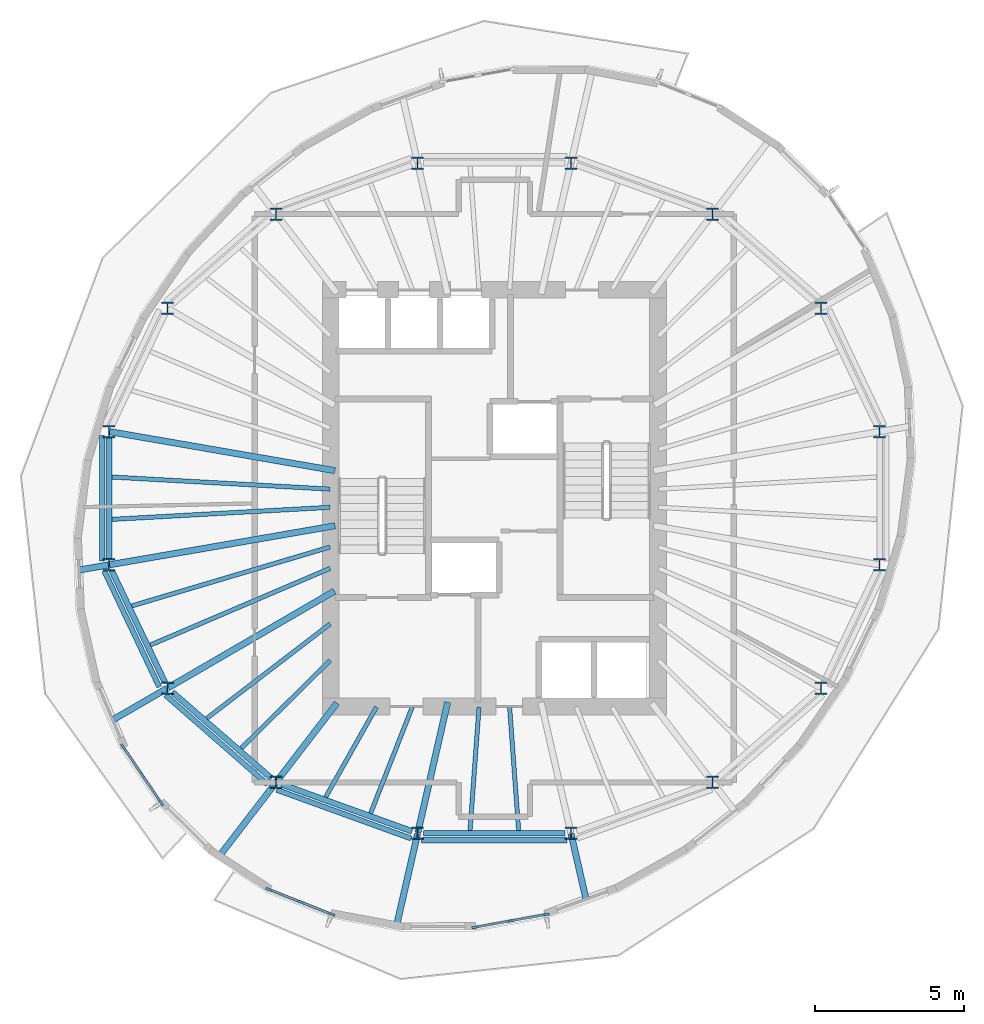
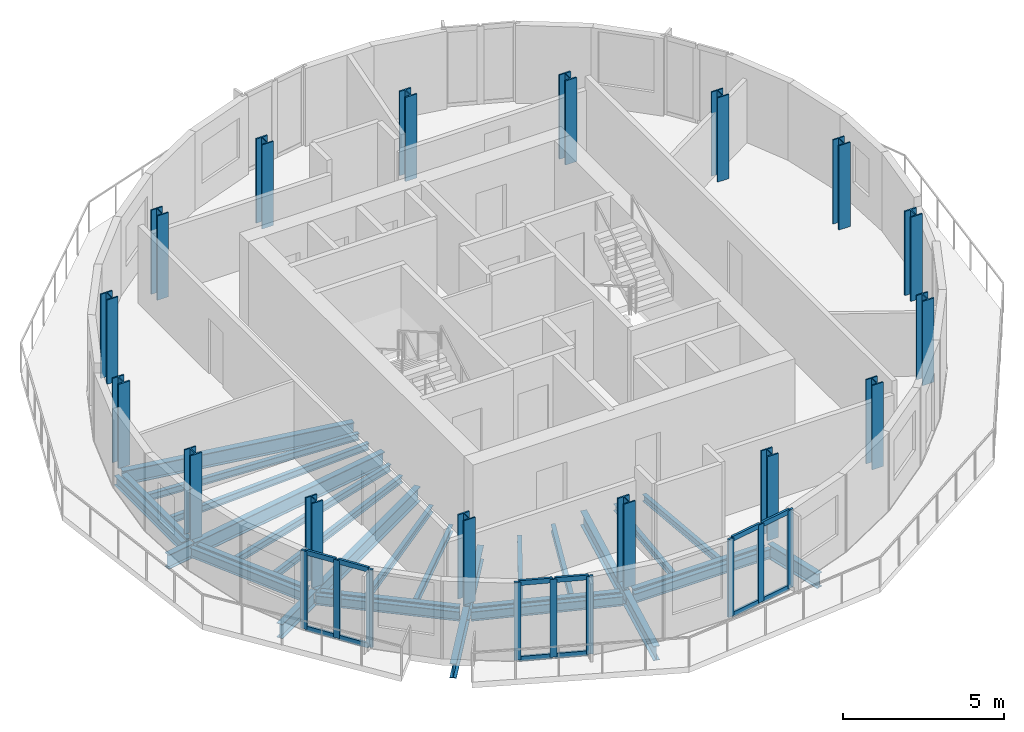
# One storey, part 1 of 9: 30 beams, 21 members, 16 columns, 3 elements without a shape of their own.
"""IFC4 building model written with IfcOpenShell, lengths in metres."""

from ifc_helpers import new_model, si_unit, direction, frame, origin, origin_2d, place, context, subcontext, project, spatial, rectangle, i_section, extrude, material, material_profile, profile_set, type_object, element, aggregate, save


model = new_model("IFC4")

# Units and contexts
model_context = context("Model", 3, precision=1e-05, world=origin(), true_north=direction((0.0, 1.0)))
body_context = subcontext(model_context, "Body", "Model", "MODEL_VIEW")
ifc_project = project(units=[si_unit("LENGTHUNIT", "METRE"), si_unit("AREAUNIT", "SQUARE_METRE"), si_unit("VOLUMEUNIT", "CUBIC_METRE"), si_unit("PLANEANGLEUNIT", "RADIAN"), si_unit("MASSUNIT", "GRAM", prefix="KILO")], contexts=[model_context])

# Site, building, storey
site_placement = place(None, origin())
site = spatial("IfcSite", under=ifc_project, at=site_placement, CompositionType="ELEMENT")
building_placement = place(site_placement, origin())
building = spatial("IfcBuilding", under=site, at=building_placement, Name="Veldorim Arch Residences", CompositionType="ELEMENT")
storey_placement = place(building_placement, frame((0.0, 0.0, 204.639892578125)))
storey = spatial("IfcBuildingStorey", under=building, at=storey_placement, Name="L61", CompositionType="ELEMENT", Elevation=204.639892578125)

# Columns
ifc_material_1 = material(Name="Steel S460", Category="steel")
ifc_material_profile_1 = material_profile(ifc_material_1, i_section(OverallWidth=0.406982421875, OverallDepth=0.4189453125, WebThickness=0.030517578125, FlangeThickness=0.04931640625, at=origin_2d()), Name="UC356x406x393")
ifc_profile_set_1 = profile_set([ifc_material_profile_1], Name="Steel S460")
column_type = type_object("IfcColumnType", Name="Structural Column UC356x406x393", PredefinedType="COLUMN", material=ifc_profile_set_1)
for number, where, z_axis, x_axis, name in (
    (1, (44.9462890625, 26.239501953125, 0.0), (0.0, 0.0, 1.0), (1.0, 0.0, 0.0), "L61 TC-Z4-01 perimeter column"),
    (2, (42.975341796875, 30.3779296875, 0.0), (0.0, 0.0, 1.0), (1.0, 0.0, 0.0), "L61 TC-Z4-02 perimeter column"),
    (3, (39.33349609375, 33.54541015625, 0.0), (0.0, 0.0, 1.0), (1.0, 0.0, 0.0), "L61 TC-Z4-03 perimeter column"),
    (4, (34.5751953125, 35.259521484375, 0.0), (0.0, 0.0, 1.0), (1.0, 0.0, 0.0), "L61 TC-Z4-04 perimeter column"),
    (5, (29.4248046875, 35.259521484375, 0.0), (0.0, 0.0, 1.0), (1.0, 0.0, 0.0), "L61 TC-Z4-05 perimeter column"),
    (6, (24.66650390625, 33.54541015625, 0.0), (0.0, 0.0, 1.0), (1.0, 0.0, 0.0), "L61 TC-Z4-06 perimeter column"),
    (7, (21.024658203125, 30.3779296875, 0.0), (0.0, 0.0, 1.0), (1.0, 0.0, 0.0), "L61 TC-Z4-07 perimeter column"),
    (8, (19.0537109375, 26.239501953125, 0.0), (0.0, 0.0, 1.0), (1.0, 0.0, 0.0), "L61 TC-Z4-08 perimeter column"),
    (9, (19.0537109375, 21.760498046875, 0.0), (0.0, 0.0, 1.0), (1.0, 0.0, 0.0), "L61 TC-Z4-09 perimeter column"),
    (10, (21.024658203125, 17.6220703125, 0.0), (0.0, 0.0, 1.0), (1.0, 0.0, 0.0), "L61 TC-Z4-10 perimeter column"),
    (11, (24.66650390625, 14.45458984375, 0.0), (0.0, 0.0, 1.0), (1.0, 0.0, 0.0), "L61 TC-Z4-11 perimeter column"),
    (12, (29.4248046875, 12.740478515625, 0.0), (0.0, 0.0, 1.0), (1.0, 0.0, 0.0), "L61 TC-Z4-12 perimeter column"),
    (13, (34.5751953125, 12.740478515625, 0.0), (0.0, 0.0, 1.0), (1.0, 0.0, 0.0), "L61 TC-Z4-13 perimeter column"),
    (14, (39.33349609375, 14.45458984375, 0.0), (0.0, 0.0, 1.0), (1.0, 0.0, 0.0), "L61 TC-Z4-14 perimeter column"),
    (15, (42.975341796875, 17.6220703125, 0.0), (0.0, 0.0, 1.0), (1.0, 0.0, 0.0), "L61 TC-Z4-15 perimeter column"),
    (16, (44.9462890625, 21.760498046875, 0.0), (0.0, 0.0, 1.0), (1.0, 0.0, 0.0), "L61 TC-Z4-16 perimeter column"),
):
    element("IfcColumn", number, at=place(storey_placement, frame(where, z_axis=z_axis, x_axis=x_axis)), inside=storey, type_object=column_type, Name=name, PredefinedType="COLUMN", context=body_context, shape_type="SweptSolid", body=[
        extrude(i_section(OverallWidth=0.406982421875, OverallDepth=0.4189453125, WebThickness=0.030517578125, FlangeThickness=0.04931640625, at=origin_2d()), origin(), (0.0, 0.0, 1.0), 3.2001953125),
    ])

# Curtain wall, members
ifc_material_2 = material(Name="Aluminium", Category="aluminium")
curtain_wall_type = type_object("IfcCurtainWallType", Name="Sky Lounge & Conservatory Tall Curtain Wall", PredefinedType="NOTDEFINED", material=ifc_material_2)
curtain_wall_1_placement = place(storey_placement, origin())
curtain_wall_1 = element("IfcCurtainWall", 17, at=curtain_wall_1_placement, inside=storey, type_object=curtain_wall_type, Name="L61 unitised curtain wall bay 17", PredefinedType="NOTDEFINED")
ifc_material_3 = material(Name="Aluminium", Category="aluminium")
ifc_material_profile_2 = material_profile(ifc_material_3, rectangle(XDim=0.080078125, YDim=0.219970703125, at=origin_2d()), Name="ALU_MUL_80x220")
ifc_profile_set_2 = profile_set([ifc_material_profile_2], Name="Aluminium")
member_type_1 = type_object("IfcMemberType", Name="Sky Lounge & Conservatory Tall Curtain Wall Mullion 80x220", PredefinedType="MULLION", material=ifc_profile_set_2)
member_1_placement = place(storey_placement, frame((20.802978515625, 13.76708984375, 0.0), z_axis=(0.0, 0.0, 1.0), x_axis=(-0.827943581901, -0.560811398946, 0.0)))
member_1 = element("IfcMember", 18, at=member_1_placement, type_object=member_type_1, Name="CW-SKY mullion 1", PredefinedType="MULLION", context=body_context, shape_type="SweptSolid", body=[
    extrude(rectangle(XDim=0.080078125, YDim=0.219970703125, at=origin_2d()), origin(), (0.0, 0.0, 1.0), 2.960205078125),
])
member_2_placement = place(storey_placement, frame((20.167236328125, 14.705322265625, 0.0), z_axis=(0.0, 0.0, 1.0), x_axis=(-0.827943581901, -0.560811398946, 0.0)))
member_2 = element("IfcMember", 19, at=member_2_placement, type_object=member_type_1, Name="CW-SKY mullion 2", PredefinedType="MULLION", context=body_context, shape_type="SweptSolid", body=[
    extrude(rectangle(XDim=0.080078125, YDim=0.219970703125, at=origin_2d()), origin(), (0.0, 0.0, 1.0), 2.960205078125),
])
member_3_placement = place(storey_placement, frame((19.53173828125, 15.643798828125, 0.0), z_axis=(0.0, 0.0, 1.0), x_axis=(-0.827943581901, -0.560811398946, 0.0)))
member_3 = element("IfcMember", 20, at=member_3_placement, type_object=member_type_1, Name="CW-SKY mullion 3", PredefinedType="MULLION", context=body_context, shape_type="SweptSolid", body=[
    extrude(rectangle(XDim=0.080078125, YDim=0.219970703125, at=origin_2d()), origin(), (0.0, 0.0, 1.0), 2.960205078125),
])

curtain_wall_2_placement = place(storey_placement, origin())
curtain_wall_2 = element("IfcCurtainWall", 21, at=curtain_wall_2_placement, inside=storey, type_object=curtain_wall_type, Name="L61 unitised curtain wall bay 20", PredefinedType="NOTDEFINED")
member_4_placement = place(storey_placement, frame((26.53564453125, 10.0205078125, 0.0), z_axis=(0.0, 0.0, 1.0), x_axis=(-0.368670793641, -0.92956002814, 0.0)))
member_4 = element("IfcMember", 22, at=member_4_placement, type_object=member_type_1, Name="CW-SKY mullion 1", PredefinedType="MULLION", context=body_context, shape_type="SweptSolid", body=[
    extrude(rectangle(XDim=0.080078125, YDim=0.219970703125, at=origin_2d()), origin(), (0.0, 0.0, 1.0), 2.960205078125),
])
member_5_placement = place(storey_placement, frame((25.48193359375, 10.4384765625, 0.0), z_axis=(0.0, 0.0, 1.0), x_axis=(-0.368670793641, -0.92956002814, 0.0)))
member_5 = element("IfcMember", 23, at=member_5_placement, type_object=member_type_1, Name="CW-SKY mullion 2", PredefinedType="MULLION", context=body_context, shape_type="SweptSolid", body=[
    extrude(rectangle(XDim=0.080078125, YDim=0.219970703125, at=origin_2d()), origin(), (0.0, 0.0, 1.0), 2.960205078125),
])
member_6_placement = place(storey_placement, frame((24.428466796875, 10.856201171875, 0.0), z_axis=(0.0, 0.0, 1.0), x_axis=(-0.368670793641, -0.92956002814, 0.0)))
member_6 = element("IfcMember", 24, at=member_6_placement, type_object=member_type_1, Name="CW-SKY mullion 3", PredefinedType="MULLION", context=body_context, shape_type="SweptSolid", body=[
    extrude(rectangle(XDim=0.080078125, YDim=0.219970703125, at=origin_2d()), origin(), (0.0, 0.0, 1.0), 2.960205078125),
])

curtain_wall_3_placement = place(storey_placement, origin())
curtain_wall_3 = element("IfcCurtainWall", 25, at=curtain_wall_3_placement, inside=storey, type_object=curtain_wall_type, Name="L61 unitised curtain wall bay 23", PredefinedType="NOTDEFINED")
member_7_placement = place(storey_placement, frame((33.736083984375, 10.014404296875, 0.0), z_axis=(0.0, 0.0, 1.0), x_axis=(0.177682530469, -0.984087861101, 0.0)))
member_7 = element("IfcMember", 26, at=member_7_placement, type_object=member_type_1, Name="CW-SKY mullion 1", PredefinedType="MULLION", context=body_context, shape_type="SweptSolid", body=[
    extrude(rectangle(XDim=0.080078125, YDim=0.219970703125, at=origin_2d()), origin(), (0.0, 0.0, 1.0), 2.960205078125),
])
member_8_placement = place(storey_placement, frame((32.544189453125, 9.79931640625, 0.0), z_axis=(0.0, 0.0, 1.0), x_axis=(0.177682530469, -0.984087861101, 0.0)))
member_8 = element("IfcMember", 27, at=member_8_placement, type_object=member_type_1, Name="CW-SKY mullion 2", PredefinedType="MULLION", context=body_context, shape_type="SweptSolid", body=[
    extrude(rectangle(XDim=0.080078125, YDim=0.219970703125, at=origin_2d()), origin(), (0.0, 0.0, 1.0), 2.960205078125),
])
member_9_placement = place(storey_placement, frame((31.3525390625, 9.584228515625, 0.0), z_axis=(0.0, 0.0, 1.0), x_axis=(0.177682530469, -0.984087861101, 0.0)))
member_9 = element("IfcMember", 28, at=member_9_placement, type_object=member_type_1, Name="CW-SKY mullion 3", PredefinedType="MULLION", context=body_context, shape_type="SweptSolid", body=[
    extrude(rectangle(XDim=0.080078125, YDim=0.219970703125, at=origin_2d()), origin(), (0.0, 0.0, 1.0), 2.960205078125),
])

# Member
ifc_material_4 = material(Name="Aluminium", Category="aluminium")
ifc_material_profile_3 = material_profile(ifc_material_4, rectangle(XDim=0.080078125, YDim=0.18505859375, at=origin_2d()), Name="ALU_TRN_80x185")
ifc_profile_set_3 = profile_set([ifc_material_profile_3], Name="Aluminium")
member_type_2 = type_object("IfcMemberType", Name="Sky Lounge & Conservatory Tall Curtain Wall Transom 80x185", PredefinedType="USERDEFINED", material=ifc_profile_set_3)
member_10_placement = place(storey_placement, frame((20.780517578125, 13.800048828125, 0.0400390625), z_axis=(-0.560781533978, 0.82796381029, 0.0), x_axis=(-0.82796381029, -0.560781533978, 0.0)))
member_10 = element("IfcMember", 29, at=member_10_placement, type_object=member_type_2, Name="CW-SKY transom 1.1", ObjectType="TRANSOM", PredefinedType="USERDEFINED", context=body_context, shape_type="SweptSolid", body=[
    extrude(rectangle(XDim=0.080078125, YDim=0.18505859375, at=origin_2d()), origin(), (0.0, 0.0, 1.0), 1.053466796875),
])

member_11_placement = place(storey_placement, frame((20.780517578125, 13.800048828125, 2.920166015625), z_axis=(-0.560781533978, 0.82796381029, 0.0), x_axis=(-0.82796381029, -0.560781533978, 0.0)))
member_11 = element("IfcMember", 30, at=member_11_placement, type_object=member_type_2, Name="CW-SKY transom 1.2", ObjectType="TRANSOM", PredefinedType="USERDEFINED", context=body_context, shape_type="SweptSolid", body=[
    extrude(rectangle(XDim=0.080078125, YDim=0.18505859375, at=origin_2d()), origin(), (0.0, 0.0, 1.0), 1.053466796875),
])

member_12_placement = place(storey_placement, frame((20.14501953125, 14.738525390625, 0.0400390625), z_axis=(-0.560889142733, 0.827890916464, 0.0), x_axis=(-0.827890916464, -0.560889142733, 0.0)))
member_12 = element("IfcMember", 31, at=member_12_placement, type_object=member_type_2, Name="CW-SKY transom 2.1", ObjectType="TRANSOM", PredefinedType="USERDEFINED", context=body_context, shape_type="SweptSolid", body=[
    extrude(rectangle(XDim=0.080078125, YDim=0.18505859375, at=origin_2d()), origin(), (0.0, 0.0, 1.0), 1.053466796875),
])

member_13_placement = place(storey_placement, frame((20.14501953125, 14.738525390625, 2.920166015625), z_axis=(-0.560889142733, 0.827890916464, 0.0), x_axis=(-0.827890916464, -0.560889142733, 0.0)))
member_13 = element("IfcMember", 32, at=member_13_placement, type_object=member_type_2, Name="CW-SKY transom 2.2", ObjectType="TRANSOM", PredefinedType="USERDEFINED", context=body_context, shape_type="SweptSolid", body=[
    extrude(rectangle(XDim=0.080078125, YDim=0.18505859375, at=origin_2d()), origin(), (0.0, 0.0, 1.0), 1.053466796875),
])

aggregate(curtain_wall_1, [member_1, member_2, member_3, member_10, member_11, member_12, member_13])

member_14_placement = place(storey_placement, frame((26.49853515625, 10.035400390625, 0.0400390625), z_axis=(-0.929623083141, 0.368511768186, 0.0), x_axis=(-0.368511768186, -0.929623083141, 0.0)))
member_14 = element("IfcMember", 33, at=member_14_placement, type_object=member_type_2, Name="CW-SKY transom 1.1", ObjectType="TRANSOM", PredefinedType="USERDEFINED", context=body_context, shape_type="SweptSolid", body=[
    extrude(rectangle(XDim=0.080078125, YDim=0.18505859375, at=origin_2d()), origin(), (0.0, 0.0, 1.0), 1.053466796875),
])

member_15_placement = place(storey_placement, frame((26.49853515625, 10.035400390625, 2.920166015625), z_axis=(-0.929623083141, 0.368511768186, 0.0), x_axis=(-0.368511768186, -0.929623083141, 0.0)))
member_15 = element("IfcMember", 34, at=member_15_placement, type_object=member_type_2, Name="CW-SKY transom 1.2", ObjectType="TRANSOM", PredefinedType="USERDEFINED", context=body_context, shape_type="SweptSolid", body=[
    extrude(rectangle(XDim=0.080078125, YDim=0.18505859375, at=origin_2d()), origin(), (0.0, 0.0, 1.0), 1.053466796875),
])

member_16_placement = place(storey_placement, frame((25.44482421875, 10.453125, 0.0400390625), z_axis=(-0.929543669813, 0.368712036568, 0.0), x_axis=(-0.368712036568, -0.929543669813, 0.0)))
member_16 = element("IfcMember", 35, at=member_16_placement, type_object=member_type_2, Name="CW-SKY transom 2.1", ObjectType="TRANSOM", PredefinedType="USERDEFINED", context=body_context, shape_type="SweptSolid", body=[
    extrude(rectangle(XDim=0.080078125, YDim=0.18505859375, at=origin_2d()), origin(), (0.0, 0.0, 1.0), 1.053466796875),
])

member_17_placement = place(storey_placement, frame((25.44482421875, 10.453125, 2.920166015625), z_axis=(-0.929543669813, 0.368712036568, 0.0), x_axis=(-0.368712036568, -0.929543669813, 0.0)))
member_17 = element("IfcMember", 36, at=member_17_placement, type_object=member_type_2, Name="CW-SKY transom 2.2", ObjectType="TRANSOM", PredefinedType="USERDEFINED", context=body_context, shape_type="SweptSolid", body=[
    extrude(rectangle(XDim=0.080078125, YDim=0.18505859375, at=origin_2d()), origin(), (0.0, 0.0, 1.0), 1.053466796875),
])

aggregate(curtain_wall_2, [member_4, member_5, member_6, member_14, member_15, member_16, member_17])

member_18_placement = place(storey_placement, frame((33.69677734375, 10.00732421875, 0.0400390625), z_axis=(-0.984093626993, -0.177650593335, 0.0), x_axis=(0.177650593335, -0.984093626993, 0.0)))
member_18 = element("IfcMember", 37, at=member_18_placement, type_object=member_type_2, Name="CW-SKY transom 1.1", ObjectType="TRANSOM", PredefinedType="USERDEFINED", context=body_context, shape_type="SweptSolid", body=[
    extrude(rectangle(XDim=0.080078125, YDim=0.18505859375, at=origin_2d()), origin(), (0.0, 0.0, 1.0), 1.131103515625),
])

member_19_placement = place(storey_placement, frame((33.69677734375, 10.00732421875, 2.920166015625), z_axis=(-0.984093626993, -0.177650593335, 0.0), x_axis=(0.177650593335, -0.984093626993, 0.0)))
member_19 = element("IfcMember", 38, at=member_19_placement, type_object=member_type_2, Name="CW-SKY transom 1.2", ObjectType="TRANSOM", PredefinedType="USERDEFINED", context=body_context, shape_type="SweptSolid", body=[
    extrude(rectangle(XDim=0.080078125, YDim=0.18505859375, at=origin_2d()), origin(), (0.0, 0.0, 1.0), 1.131103515625),
])

member_20_placement = place(storey_placement, frame((32.5048828125, 9.792236328125, 0.0400390625), z_axis=(-0.984093626993, -0.177650593335, 0.0), x_axis=(0.177650593335, -0.984093626993, 0.0)))
member_20 = element("IfcMember", 39, at=member_20_placement, type_object=member_type_2, Name="CW-SKY transom 2.1", ObjectType="TRANSOM", PredefinedType="USERDEFINED", context=body_context, shape_type="SweptSolid", body=[
    extrude(rectangle(XDim=0.080078125, YDim=0.18505859375, at=origin_2d()), origin(), (0.0, 0.0, 1.0), 1.131103515625),
])

member_21_placement = place(storey_placement, frame((32.5048828125, 9.792236328125, 2.920166015625), z_axis=(-0.984093626993, -0.177650593335, 0.0), x_axis=(0.177650593335, -0.984093626993, 0.0)))
member_21 = element("IfcMember", 40, at=member_21_placement, type_object=member_type_2, Name="CW-SKY transom 2.2", ObjectType="TRANSOM", PredefinedType="USERDEFINED", context=body_context, shape_type="SweptSolid", body=[
    extrude(rectangle(XDim=0.080078125, YDim=0.18505859375, at=origin_2d()), origin(), (0.0, 0.0, 1.0), 1.131103515625),
])

aggregate(curtain_wall_3, [member_7, member_8, member_9, member_18, member_19, member_20, member_21])

# Beams
ifc_material_5 = material(Name="Steel S355", Category="steel")
ifc_material_profile_4 = material_profile(ifc_material_5, i_section(OverallWidth=0.2119140625, OverallDepth=0.54443359375, WebThickness=0.0126953125, FlangeThickness=0.021240234375, at=origin_2d()), Name="UB533x210x122")
ifc_profile_set_4 = profile_set([ifc_material_profile_4], Name="Steel S355")
beam_type_1 = type_object("IfcBeamType", Name="Structural Steel Beam UB533x210x122", PredefinedType="BEAM", material=ifc_profile_set_4)
for number, where, z_axis, x_axis, name in (
    (41, (26.647705078125, 24.92578125, -0.51220703125), (-0.985364974081, 0.170457818401, 0.0), (-0.170457818401, -0.985364974081, 0.0), "L61 radial floor girder 08"),
    (42, (26.647705078125, 23.07421875, -0.51220703125), (-0.985364974081, -0.170457818401, 0.0), (0.170457818401, -0.985364974081, 0.0), "L61 radial floor girder 09"),
):
    element("IfcBeam", number, at=place(storey_placement, frame(where, z_axis=z_axis, x_axis=x_axis)), inside=storey, type_object=beam_type_1, Name=name, PredefinedType="BEAM", context=body_context, shape_type="SweptSolid", body=[
        extrude(i_section(OverallWidth=0.2119140625, OverallDepth=0.54443359375, WebThickness=0.0126953125, FlangeThickness=0.021240234375, at=origin_2d()), origin(), (0.0, 0.0, 1.0), 7.68701171875),
    ])
beam_1_placement = place(storey_placement, frame((19.033935546875, 21.757080078125, -0.51220703125), z_axis=(-0.985333604627, -0.170639056469, 0.0), x_axis=(0.170639056469, -0.985333604627, 0.0)))
element("IfcBeam", 43, at=beam_1_placement, inside=storey, type_object=beam_type_1, Name="L61 radial edge cantilever girder 09", PredefinedType="BEAM", context=body_context, shape_type="SweptSolid", body=[
    extrude(i_section(OverallWidth=0.2119140625, OverallDepth=0.54443359375, WebThickness=0.0126953125, FlangeThickness=0.021240234375, at=origin_2d()), origin(), (0.0, 0.0, 1.0), 1.02734375),
])
beam_2_placement = place(storey_placement, frame((26.629638671875, 20.87939453125, -0.51220703125), z_axis=(-0.864595736304, -0.502468121142, 0.0), x_axis=(0.502468121142, -0.864595736304, 0.0)))
element("IfcBeam", 44, at=beam_2_placement, inside=storey, type_object=beam_type_1, Name="L61 radial floor girder 10", PredefinedType="BEAM", context=body_context, shape_type="SweptSolid", body=[
    extrude(i_section(OverallWidth=0.2119140625, OverallDepth=0.54443359375, WebThickness=0.0126953125, FlangeThickness=0.021240234375, at=origin_2d()), origin(), (0.0, 0.0, 1.0), 6.462646484375),
])
beam_3_placement = place(storey_placement, frame((21.00732421875, 17.612060546875, -0.51220703125), z_axis=(-0.864621216471, -0.502424274919, 0.0), x_axis=(0.502424274919, -0.864621216471, 0.0)))
element("IfcBeam", 45, at=beam_3_placement, inside=storey, type_object=beam_type_1, Name="L61 radial edge cantilever girder 10", PredefinedType="BEAM", context=body_context, shape_type="SweptSolid", body=[
    extrude(i_section(OverallWidth=0.2119140625, OverallDepth=0.54443359375, WebThickness=0.0126953125, FlangeThickness=0.021240234375, at=origin_2d()), origin(), (0.0, 0.0, 1.0), 2.141357421875),
])
beam_4_placement = place(storey_placement, frame((26.71337890625, 17.118896484375, -0.51220703125), z_axis=(-0.609258442308, -0.792971721108, 0.0), x_axis=(0.792971721108, -0.609258442308, 0.0)))
element("IfcBeam", 46, at=beam_4_placement, inside=storey, type_object=beam_type_1, Name="L61 radial floor girder 11", PredefinedType="BEAM", context=body_context, shape_type="SweptSolid", body=[
    extrude(i_section(OverallWidth=0.2119140625, OverallDepth=0.54443359375, WebThickness=0.0126953125, FlangeThickness=0.021240234375, at=origin_2d()), origin(), (0.0, 0.0, 1.0), 3.339599609375),
])
beam_5_placement = place(storey_placement, frame((24.654296875, 14.438720703125, -0.51220703125), z_axis=(-0.60924748857, -0.792980136997, 0.0), x_axis=(0.792980136997, -0.60924748857, 0.0)))
element("IfcBeam", 47, at=beam_5_placement, inside=storey, type_object=beam_type_1, Name="L61 radial edge cantilever girder 11", PredefinedType="BEAM", context=body_context, shape_type="SweptSolid", body=[
    extrude(i_section(OverallWidth=0.2119140625, OverallDepth=0.54443359375, WebThickness=0.0126953125, FlangeThickness=0.021240234375, at=origin_2d()), origin(), (0.0, 0.0, 1.0), 3.13330078125),
])
beam_6_placement = place(storey_placement, frame((30.432373046875, 17.146240234375, -0.51220703125), z_axis=(-0.222952976993, -0.97482920045, 0.0), x_axis=(0.97482920045, -0.222952976993, 0.0)))
element("IfcBeam", 48, at=beam_6_placement, inside=storey, type_object=beam_type_1, Name="L61 radial floor girder 12", PredefinedType="BEAM", context=body_context, shape_type="SweptSolid", body=[
    extrude(i_section(OverallWidth=0.2119140625, OverallDepth=0.54443359375, WebThickness=0.0126953125, FlangeThickness=0.021240234375, at=origin_2d()), origin(), (0.0, 0.0, 1.0), 4.49951171875),
])
beam_7_placement = place(storey_placement, frame((29.42041015625, 12.72119140625, -0.51220703125), z_axis=(-0.222970635171, -0.974825161684, 0.0), x_axis=(0.974825161684, -0.222970635171, 0.0)))
element("IfcBeam", 49, at=beam_7_placement, inside=storey, type_object=beam_type_1, Name="L61 radial edge cantilever girder 12", PredefinedType="BEAM", context=body_context, shape_type="SweptSolid", body=[
    extrude(i_section(OverallWidth=0.2119140625, OverallDepth=0.54443359375, WebThickness=0.0126953125, FlangeThickness=0.021240234375, at=origin_2d()), origin(), (0.0, 0.0, 1.0), 3.181884765625),
])
beam_8_placement = place(storey_placement, frame((34.57958984375, 12.72119140625, -0.51220703125), z_axis=(0.222959072594, -0.974827806306, 0.0), x_axis=(0.974827806306, 0.222959072594, 0.0)))
element("IfcBeam", 50, at=beam_8_placement, inside=storey, type_object=beam_type_1, Name="L61 radial edge cantilever girder 13", PredefinedType="BEAM", context=body_context, shape_type="SweptSolid", body=[
    extrude(i_section(OverallWidth=0.2119140625, OverallDepth=0.54443359375, WebThickness=0.0126953125, FlangeThickness=0.021240234375, at=origin_2d()), origin(), (0.0, 0.0, 1.0), 2.27099609375),
])
ifc_material_6 = material(Name="Steel S355", Category="steel")
ifc_material_profile_5 = material_profile(ifc_material_6, i_section(OverallWidth=0.146484375, OverallDepth=0.256103515625, WebThickness=0.00634765625, FlangeThickness=0.010986328125, at=origin_2d()), Name="UB254x146x37")
ifc_profile_set_5 = profile_set([ifc_material_profile_5], Name="Steel S355")
beam_type_2 = type_object("IfcBeamType", Name="Structural Steel Joist UB254x146x37", PredefinedType="JOIST", material=ifc_profile_set_5)
for number, where, z_axis, x_axis, name in (
    (51, (26.47998046875, 24.3056640625, -0.367919921875), (-0.998472000884, 0.055259962464, 0.0), (-0.055259962464, -0.998472000884, 0.0), "L61 secondary radial floor joist 08-1"),
    (52, (26.47998046875, 23.6943359375, -0.367919921875), (-0.998472000884, -0.055259962464, 0.0), (0.055259962464, -0.998472000884, 0.0), "L61 secondary radial floor joist 08-2"),
):
    element("IfcBeam", number, at=place(storey_placement, frame(where, z_axis=z_axis, x_axis=x_axis)), inside=storey, type_object=beam_type_2, Name=name, PredefinedType="JOIST", context=body_context, shape_type="SweptSolid", body=[
        extrude(i_section(OverallWidth=0.146484375, OverallDepth=0.256103515625, WebThickness=0.00634765625, FlangeThickness=0.010986328125, at=origin_2d()), origin(), (0.0, 0.0, 1.0), 7.33837890625),
    ])
beam_9_placement = place(storey_placement, frame((26.480712890625, 22.360595703125, -0.367919921875), z_axis=(-0.958594432792, -0.284774846889, 0.0), x_axis=(0.284774846889, -0.958594432792, 0.0)))
element("IfcBeam", 53, at=beam_9_placement, inside=storey, type_object=beam_type_2, Name="L61 secondary radial floor joist 09-1", PredefinedType="JOIST", context=body_context, shape_type="SweptSolid", body=[
    extrude(i_section(OverallWidth=0.146484375, OverallDepth=0.256103515625, WebThickness=0.00634765625, FlangeThickness=0.010986328125, at=origin_2d()), origin(), (0.0, 0.0, 1.0), 6.949462890625),
])
beam_10_placement = place(storey_placement, frame((26.481689453125, 21.644287109375, -0.367919921875), z_axis=(-0.919725161652, -0.392562895629, 0.0), x_axis=(0.392562895629, -0.919725161652, 0.0)))
element("IfcBeam", 54, at=beam_10_placement, inside=storey, type_object=beam_type_2, Name="L61 secondary radial floor joist 09-2", PredefinedType="JOIST", context=body_context, shape_type="SweptSolid", body=[
    extrude(i_section(OverallWidth=0.146484375, OverallDepth=0.256103515625, WebThickness=0.00634765625, FlangeThickness=0.010986328125, at=origin_2d()), origin(), (0.0, 0.0, 1.0), 6.5625),
])
beam_11_placement = place(storey_placement, frame((26.484130859375, 19.777099609375, -0.367919921875), z_axis=(-0.794013672216, -0.607899899929, 0.0), x_axis=(0.607899899929, -0.794013672216, 0.0)))
element("IfcBeam", 55, at=beam_11_placement, inside=storey, type_object=beam_type_2, Name="L61 secondary radial floor joist 10-1", PredefinedType="JOIST", context=body_context, shape_type="SweptSolid", body=[
    extrude(i_section(OverallWidth=0.146484375, OverallDepth=0.256103515625, WebThickness=0.00634765625, FlangeThickness=0.010986328125, at=origin_2d()), origin(), (0.0, 0.0, 1.0), 5.217041015625),
])
beam_12_placement = place(storey_placement, frame((26.48583984375, 18.55224609375, -0.367919921875), z_axis=(-0.711396725432, -0.702790650937, 0.0), x_axis=(0.702790650937, -0.711396725432, 0.0)))
element("IfcBeam", 56, at=beam_12_placement, inside=storey, type_object=beam_type_2, Name="L61 secondary radial floor joist 10-2", PredefinedType="JOIST", context=body_context, shape_type="SweptSolid", body=[
    extrude(i_section(OverallWidth=0.146484375, OverallDepth=0.256103515625, WebThickness=0.00634765625, FlangeThickness=0.010986328125, at=origin_2d()), origin(), (0.0, 0.0, 1.0), 4.198486328125),
])
beam_13_placement = place(storey_placement, frame((28.039794921875, 16.982666015625, -0.367919921875), z_axis=(-0.491452469585, -0.870904397818, 0.0), x_axis=(0.870904397818, -0.491452469585, 0.0)))
element("IfcBeam", 57, at=beam_13_placement, inside=storey, type_object=beam_type_2, Name="L61 secondary radial floor joist 11-1", PredefinedType="JOIST", context=body_context, shape_type="SweptSolid", body=[
    extrude(i_section(OverallWidth=0.146484375, OverallDepth=0.256103515625, WebThickness=0.00634765625, FlangeThickness=0.010986328125, at=origin_2d()), origin(), (0.0, 0.0, 1.0), 3.472412109375),
])
beam_14_placement = place(storey_placement, frame((29.24365234375, 16.9814453125, -0.367919921875), z_axis=(-0.365581383042, -0.930779379001, 0.0), x_axis=(0.930779379001, -0.365581383042, 0.0)))
element("IfcBeam", 58, at=beam_14_placement, inside=storey, type_object=beam_type_2, Name="L61 secondary radial floor joist 11-2", PredefinedType="JOIST", context=body_context, shape_type="SweptSolid", body=[
    extrude(i_section(OverallWidth=0.146484375, OverallDepth=0.256103515625, WebThickness=0.00634765625, FlangeThickness=0.010986328125, at=origin_2d()), origin(), (0.0, 0.0, 1.0), 3.83056640625),
])
for number, where, z_axis, x_axis, name in (
    (59, (31.486083984375, 16.97998046875, -0.367919921875), (-0.072985625899, -0.997332992742, 0.0), (0.997332992742, -0.072985625899, 0.0), "L61 secondary radial floor joist 12-1"),
    (60, (32.513916015625, 16.97998046875, -0.367919921875), (0.072985625899, -0.997332992742, 0.0), (0.997332992742, 0.072985625899, 0.0), "L61 secondary radial floor joist 12-2"),
):
    element("IfcBeam", number, at=place(storey_placement, frame(where, z_axis=z_axis, x_axis=x_axis)), inside=storey, type_object=beam_type_2, Name=name, PredefinedType="JOIST", context=body_context, shape_type="SweptSolid", body=[
        extrude(i_section(OverallWidth=0.146484375, OverallDepth=0.256103515625, WebThickness=0.00634765625, FlangeThickness=0.010986328125, at=origin_2d()), origin(), (0.0, 0.0, 1.0), 4.151123046875),
    ])
ifc_material_7 = material(Name="Steel S355", Category="steel")
ifc_material_profile_6 = material_profile(ifc_material_7, i_section(OverallWidth=0.172119140625, OverallDepth=0.35791015625, WebThickness=0.008056640625, FlangeThickness=0.012939453125, at=origin_2d()), Name="UB356x171x57")
ifc_profile_set_6 = profile_set([ifc_material_profile_6], Name="Steel S355")
beam_type_3 = type_object("IfcBeamType", Name="Structural Steel Spandrel UB356x171x57", PredefinedType="SPANDREL", material=ifc_profile_set_6)
beam_15_placement = place(storey_placement, frame((18.817138671875, 26.101318359375, -0.43896484375), z_axis=(0.0, -1.0, 0.0), x_axis=(1.0, 0.0, 0.0)))
element("IfcBeam", 61, at=beam_15_placement, inside=storey, type_object=beam_type_3, Name="L61 perimeter chord spandrel beam 08", PredefinedType="SPANDREL", context=body_context, shape_type="SweptSolid", body=[
    extrude(i_section(OverallWidth=0.172119140625, OverallDepth=0.35791015625, WebThickness=0.008056640625, FlangeThickness=0.012939453125, at=origin_2d()), origin(), (0.0, 0.0, 1.0), 4.20263671875),
])
beam_16_placement = place(storey_placement, frame((18.893798828125, 21.5576171875, -0.43896484375), z_axis=(0.428468601304, -0.903556670994, 0.0), x_axis=(0.903556670994, 0.428468601304, 0.0)))
element("IfcBeam", 62, at=beam_16_placement, inside=storey, type_object=beam_type_3, Name="L61 perimeter chord spandrel beam 09", PredefinedType="SPANDREL", context=body_context, shape_type="SweptSolid", body=[
    extrude(i_section(OverallWidth=0.172119140625, OverallDepth=0.35791015625, WebThickness=0.008056640625, FlangeThickness=0.012939453125, at=origin_2d()), origin(), (0.0, 0.0, 1.0), 4.31005859375),
])
beam_17_placement = place(storey_placement, frame((20.951904296875, 17.3837890625, -0.43896484375), z_axis=(0.752868439096, -0.658171036596, 0.0), x_axis=(0.658171036596, 0.752868439096, 0.0)))
element("IfcBeam", 63, at=beam_17_placement, inside=storey, type_object=beam_type_3, Name="L61 perimeter chord spandrel beam 10", PredefinedType="SPANDREL", context=body_context, shape_type="SweptSolid", body=[
    extrude(i_section(OverallWidth=0.172119140625, OverallDepth=0.35791015625, WebThickness=0.008056640625, FlangeThickness=0.012939453125, at=origin_2d()), origin(), (0.0, 0.0, 1.0), 4.560791015625),
])
beam_18_placement = place(storey_placement, frame((24.688720703125, 14.203369140625, -0.43896484375), z_axis=(0.940178823137, -0.340681347486, 0.0), x_axis=(0.340681347486, 0.940178823137, 0.0)))
element("IfcBeam", 64, at=beam_18_placement, inside=storey, type_object=beam_type_3, Name="L61 perimeter chord spandrel beam 11", PredefinedType="SPANDREL", context=body_context, shape_type="SweptSolid", body=[
    extrude(i_section(OverallWidth=0.172119140625, OverallDepth=0.35791015625, WebThickness=0.008056640625, FlangeThickness=0.012939453125, at=origin_2d()), origin(), (0.0, 0.0, 1.0), 4.80126953125),
])
beam_19_placement = place(storey_placement, frame((29.55029296875, 12.506591796875, -0.43896484375), z_axis=(1.0, 0.0, 0.0), x_axis=(0.0, 1.0, 0.0)))
element("IfcBeam", 65, at=beam_19_placement, inside=storey, type_object=beam_type_3, Name="L61 perimeter chord spandrel beam 12", PredefinedType="SPANDREL", context=body_context, shape_type="SweptSolid", body=[
    extrude(i_section(OverallWidth=0.172119140625, OverallDepth=0.35791015625, WebThickness=0.008056640625, FlangeThickness=0.012939453125, at=origin_2d()), origin(), (0.0, 0.0, 1.0), 4.8994140625),
])
ifc_material_8 = material(Name="Steel S355", Category="steel")
ifc_material_profile_7 = material_profile(ifc_material_8, i_section(OverallWidth=0.19140625, OverallDepth=0.4599609375, WebThickness=0.010009765625, FlangeThickness=0.01611328125, at=origin_2d()), Name="UB457x191x82")
ifc_profile_set_7 = profile_set([ifc_material_profile_7], Name="Steel S355")
beam_type_4 = type_object("IfcBeamType", Name="Structural Steel Spandrel UB457x191x82", PredefinedType="SPANDREL", material=ifc_profile_set_7)
beam_20_placement = place(storey_placement, frame((19.0537109375, 26.0361328125, -0.469970703125), z_axis=(0.0, -1.0, 0.0), x_axis=(1.0, 0.0, 0.0)))
element("IfcBeam", 66, at=beam_20_placement, inside=storey, type_object=beam_type_4, Name="L61 perimeter ring tie beam 08", PredefinedType="SPANDREL", context=body_context, shape_type="SweptSolid", body=[
    extrude(i_section(OverallWidth=0.19140625, OverallDepth=0.4599609375, WebThickness=0.010009765625, FlangeThickness=0.01611328125, at=origin_2d()), origin(), (0.0, 0.0, 1.0), 4.072265625),
])
beam_21_placement = place(storey_placement, frame((19.14111328125, 21.57666015625, -0.469970703125), z_axis=(0.429992574394, -0.902832424078, 0.0), x_axis=(0.902832424078, 0.429992574394, 0.0)))
element("IfcBeam", 67, at=beam_21_placement, inside=storey, type_object=beam_type_4, Name="L61 perimeter ring tie beam 09", PredefinedType="SPANDREL", context=body_context, shape_type="SweptSolid", body=[
    extrude(i_section(OverallWidth=0.19140625, OverallDepth=0.4599609375, WebThickness=0.010009765625, FlangeThickness=0.01611328125, at=origin_2d()), origin(), (0.0, 0.0, 1.0), 4.176513671875),
])
beam_22_placement = place(storey_placement, frame((21.17822265625, 17.488525390625, -0.469970703125), z_axis=(0.754534162517, -0.656260769508, 0.0), x_axis=(0.656260769508, 0.754534162517, 0.0)))
element("IfcBeam", 68, at=beam_22_placement, inside=storey, type_object=beam_type_4, Name="L61 perimeter ring tie beam 10", PredefinedType="SPANDREL", context=body_context, shape_type="SweptSolid", body=[
    extrude(i_section(OverallWidth=0.19140625, OverallDepth=0.4599609375, WebThickness=0.010009765625, FlangeThickness=0.01611328125, at=origin_2d()), origin(), (0.0, 0.0, 1.0), 4.419677734375),
])
beam_23_placement = place(storey_placement, frame((24.85791015625, 14.3857421875, -0.469970703125), z_axis=(0.940819134121, -0.338909068736, 0.0), x_axis=(0.338909068736, 0.940819134121, 0.0)))
element("IfcBeam", 69, at=beam_23_placement, inside=storey, type_object=beam_type_4, Name="L61 perimeter ring tie beam 11", PredefinedType="SPANDREL", context=body_context, shape_type="SweptSolid", body=[
    extrude(i_section(OverallWidth=0.19140625, OverallDepth=0.4599609375, WebThickness=0.010009765625, FlangeThickness=0.01611328125, at=origin_2d()), origin(), (0.0, 0.0, 1.0), 4.650634765625),
])
beam_24_placement = place(storey_placement, frame((29.62841796875, 12.740478515625, -0.469970703125), z_axis=(1.0, 0.0, 0.0), x_axis=(0.0, 1.0, 0.0)))
element("IfcBeam", 70, at=beam_24_placement, inside=storey, type_object=beam_type_4, Name="L61 perimeter ring tie beam 12", PredefinedType="SPANDREL", context=body_context, shape_type="SweptSolid", body=[
    extrude(i_section(OverallWidth=0.19140625, OverallDepth=0.4599609375, WebThickness=0.010009765625, FlangeThickness=0.01611328125, at=origin_2d()), origin(), (0.0, 0.0, 1.0), 4.7431640625),
])

save(model, "model.ifc")
